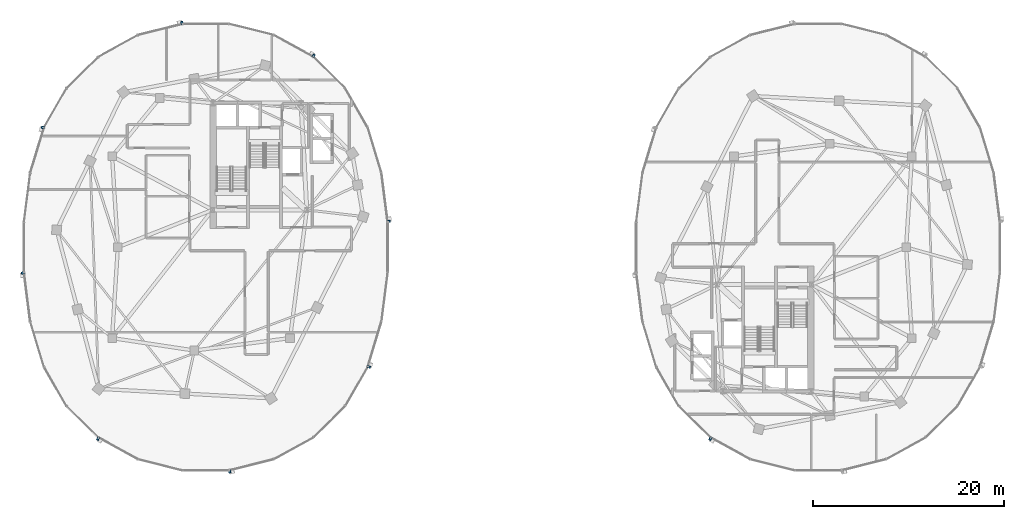
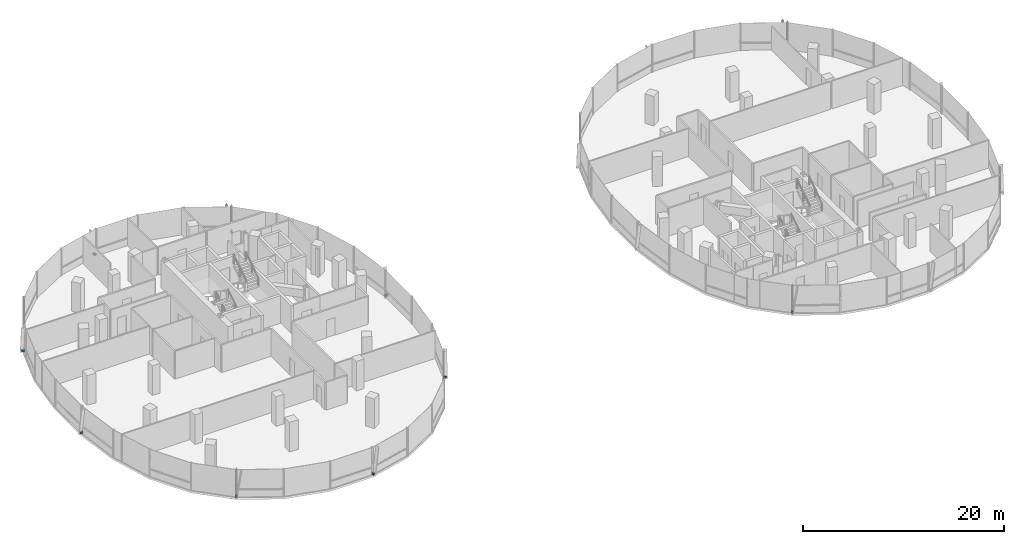
# One storey, part 16 of 22: 9 discrete accessories.
"""IFC4 building model written with IfcOpenShell, lengths in metres."""

from ifc_helpers import new_model, si_unit, direction, frame, origin, origin_2d, place, context, subcontext, project, spatial, rectangle, extrude, material, type_object, element, save


model = new_model("IFC4")

# Units and contexts
model_context = context("Model", 3, precision=1e-05, world=origin(), true_north=direction((0.0, 1.0)))
body_context = subcontext(model_context, "Body", "Model", "MODEL_VIEW")
ifc_project = project(units=[si_unit("LENGTHUNIT", "METRE"), si_unit("AREAUNIT", "SQUARE_METRE"), si_unit("VOLUMEUNIT", "CUBIC_METRE"), si_unit("PLANEANGLEUNIT", "RADIAN"), si_unit("MASSUNIT", "GRAM", prefix="KILO"), si_unit("THERMODYNAMICTEMPERATUREUNIT", "KELVIN"), si_unit("POWERUNIT", "WATT")], contexts=[model_context])

# Site, building, storey
site_placement = place(None, origin())
site = spatial("IfcSite", under=ifc_project, at=site_placement, CompositionType="ELEMENT")
building_placement = place(site_placement, origin())
building = spatial("IfcBuilding", under=site, at=building_placement, Name="Cundina Bronze Exchange", CompositionType="ELEMENT")
storey_placement = place(building_placement, frame((0.0, 0.0, 162.0)))
storey = spatial("IfcBuildingStorey", under=building, at=storey_placement, Name="L42", CompositionType="ELEMENT", Elevation=162.0)

# Discrete accessories
ifc_material = material(Name="Anodised Bronze Aluminium 6063-T6", Category="aluminium")
discrete_accessory_type = type_object("IfcDiscreteAccessoryType", Name="ACC-BRK-FIN", PredefinedType="BRACKET", material=ifc_material)
for number, where, z_axis, x_axis, name in (
    (1, (-12.874267578125, 2.69189453125, 0.10009765625), (0.0, 0.0, 1.0), (-0.126475984253, 0.9919696696, 0.0), "L42 Fin Support Bracket 1"),
    (2, (-20.733154296875, 20.015380859375, 0.10009765625), (0.0, 0.0, 1.0), (-0.875869093438, 0.482548786301, 0.0), "L42 Fin Support Bracket 5"),
    (3, (-34.492919921875, 23.44970703125, 0.10009765625), (0.0, 0.0, 1.0), (-0.970092713791, -0.242734683656, 0.0), "L42 Fin Support Bracket 1"),
    (4, (-49.0458984375, 12.511962890625, 0.10009765625), (0.0, 0.0, 1.0), (-0.290050843957, -0.957011237092, 0.0), "L42 Fin Support Bracket 5"),
    (5, (-51.125732421875, -2.69189453125, 0.10009765625), (0.0, 0.0, 1.0), (0.126475984253, -0.9919696696, 0.0), "L42 Fin Support Bracket 1"),
    (6, (-43.266845703125, -20.015380859375, 0.10009765625), (0.0, 0.0, 1.0), (0.875869093438, -0.482548786301, 0.0), "L42 Fin Support Bracket 5"),
    (7, (-29.507080078125, -23.44970703125, 0.10009765625), (0.0, 0.0, 1.0), (0.970092713791, 0.242734683656, 0.0), "L42 Fin Support Bracket 1"),
    (8, (-14.9541015625, -12.511962890625, 0.10009765625), (0.0, 0.0, 1.0), (0.290050843957, 0.957011237092, 0.0), "L42 Fin Support Bracket 5"),
    (9, (20.733154296875, -20.015380859375, 0.10009765625), (0.0, 0.0, 1.0), (0.875869093438, -0.482548786301, 0.0), "L42 Fin Support Bracket 5"),
):
    element("IfcDiscreteAccessory", number, at=place(storey_placement, frame(where, z_axis=z_axis, x_axis=x_axis)), inside=storey, type_object=discrete_accessory_type, Name=name, PredefinedType="BRACKET", context=body_context, shape_type="SweptSolid", body=[
        extrude(rectangle(XDim=0.219970703125, YDim=0.320068359375, at=origin_2d()), origin(), (0.0, 0.0, 1.0), 0.239990234375),
    ])

save(model, "model.ifc")
